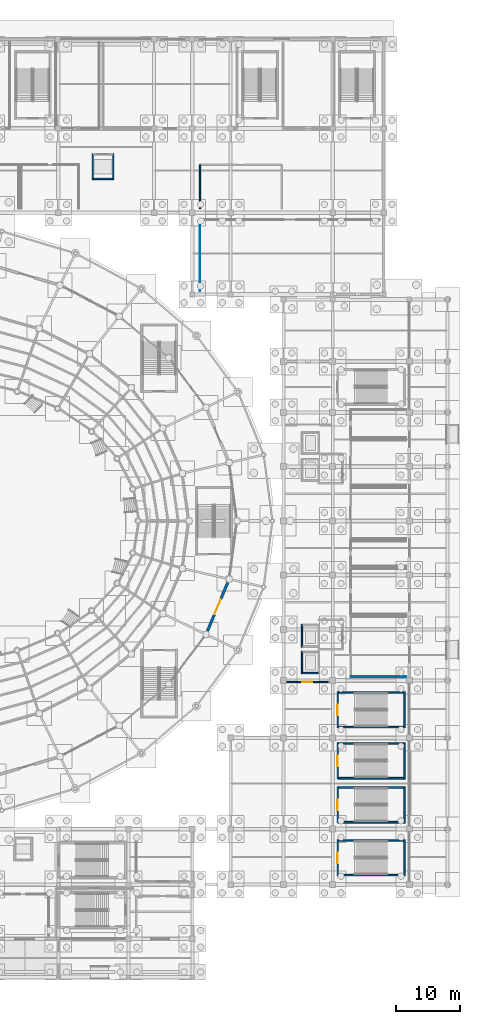
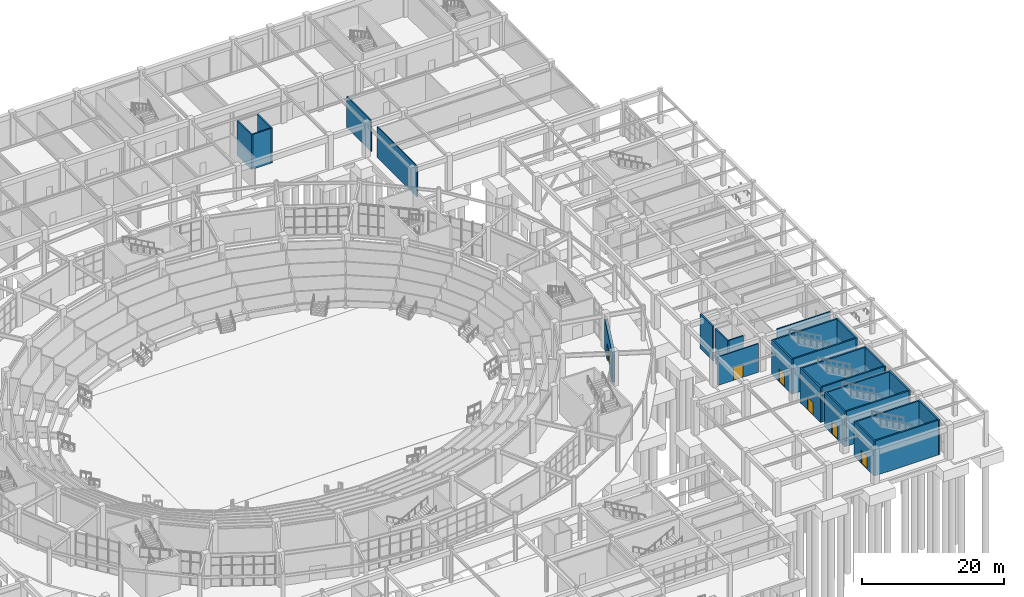
# One storey, part 90 of 121: 27 walls, 6 doors, 6 openings.
"""IFC4 building model written with IfcOpenShell, lengths in metres."""

from ifc_helpers import new_model, si_unit, direction, frame, frame_2d, origin, place, context, subcontext, project, spatial, rectangle, extrude, material, layer, layer_set, type_object, element, fill, save


model = new_model("IFC4")

# Units and contexts
model_context = context("Model", 3, precision=1e-05, world=origin(), true_north=direction((0.0, 1.0)))
body_context = subcontext(model_context, "Body", "Model", "MODEL_VIEW")
ifc_project = project(units=[si_unit("LENGTHUNIT", "METRE"), si_unit("AREAUNIT", "SQUARE_METRE"), si_unit("VOLUMEUNIT", "CUBIC_METRE"), si_unit("PLANEANGLEUNIT", "RADIAN"), si_unit("MASSUNIT", "GRAM", prefix="KILO")], contexts=[model_context])

# Site, building, storey
site_placement = place(None, origin())
site = spatial("IfcSite", under=ifc_project, at=site_placement, CompositionType="ELEMENT")
building_placement = place(site_placement, origin())
building = spatial("IfcBuilding", under=site, at=building_placement, Name="Cuetzalor Civic Arena", CompositionType="ELEMENT")
storey_placement = place(building_placement, origin())
storey = spatial("IfcBuildingStorey", under=building, at=storey_placement, Name="L00", CompositionType="ELEMENT", Elevation=0.0)

# Walls
ifc_material_1 = material(Name="Acoustic steel-stud gypsum partition", Category="steel")
ifc_layer_1 = layer(ifc_material_1, 0.14990234375)
ifc_layer_set_1 = layer_set([ifc_layer_1], Name="Acoustic steel-stud gypsum partition")
wall_type_1 = type_object("IfcWallType", Name="AcousticGypsumPartition_150", PredefinedType="PARTITIONING", material=ifc_layer_set_1)
wall_1_placement = place(storey_placement, frame((75.5, -24.39990234375, 0.0), z_axis=(0.0, 0.0, 1.0), x_axis=(-1.0, 0.0, 0.0)))
element("IfcWall", 1, at=wall_1_placement, inside=storey, type_object=wall_type_1, Name="Interior Partition IWALL:L00:0111", PredefinedType="PARTITIONING", context=body_context, shape_type="SweptSolid", body=[
    extrude(rectangle(XDim=8.699951171875, YDim=0.14990234375, at=frame_2d((4.35009765625, 0.0))), origin(), (0.0, 0.0, 1.0), 5.639892578125),
])
wall_2_placement = place(storey_placement, frame((43.199951171875, 36.0, 0.0), z_axis=(0.0, 0.0, 1.0), x_axis=(0.0, 1.0, 0.0)))
element("IfcWall", 2, at=wall_2_placement, inside=storey, type_object=wall_type_1, Name="Interior Partition IWALL:L00:0180", PredefinedType="PARTITIONING", context=body_context, shape_type="SweptSolid", body=[
    extrude(rectangle(XDim=11.199951171875, YDim=0.14990234375, at=frame_2d((5.60009765625, 0.0))), origin(), (0.0, 0.0, 1.0), 5.320068359375),
])

# Wall, opening, door
ifc_material_2 = material(Name="Puebla cantera gris stone on Concrete C35/45", Category="masonry")
ifc_layer_2 = layer(ifc_material_2, 0.419921875)
ifc_layer_set_2 = layer_set([ifc_layer_2], Name="Puebla cantera gris stone on Concrete C35/45")
wall_type_2 = type_object("IfcWallType", Name="CanteraStoneArcadeWall_420", PredefinedType="SOLIDWALL", material=ifc_layer_set_2)
wall_3_placement = place(storey_placement, frame((47.538818359375, -9.68017578125, 0.0), z_axis=(0.0, 0.0, 1.0), x_axis=(-0.385830591871, -0.92256964744, 0.0)))
wall_3 = element("IfcWall", 3, at=wall_3_placement, inside=storey, type_object=wall_type_2, Name="Drum Ground Colonnade Portal Wall L00-008", PredefinedType="SOLIDWALL", context=body_context, shape_type="SweptSolid", body=[
    extrude(rectangle(XDim=8.18603515625, YDim=0.419921875, at=frame_2d((4.093017578125, 0.0))), origin(), (0.0, 0.0, 1.0), 5.156982421875),
])
opening_1_placement = place(wall_3_placement, frame((2.79296875, 0.0, 0.0)))
opening_1 = element("IfcOpeningElement", 4, at=opening_1_placement, cuts=wall_3, Name="Opening ED-02", PredefinedType="OPENING", context=body_context, shape_type="SweptSolid", body=[
    extrude(rectangle(XDim=2.60009765625, YDim=3.0, at=frame_2d((1.300048828125, 1.5))), frame((0.0, 0.219970703125, 0.0), z_axis=(0.0, -1.0, 0.0), x_axis=(1.0, 0.0, 0.0)), (0.0, 0.0, 1.0), 0.43994140625),
])
ifc_material_3 = material(Name="Thermally broken bronze steel and laminated glass", Category="steel")
door_type_1 = type_object("IfcDoorType", Name="MainColonnadeEntrance_2600x3000", OperationType="DOUBLE_DOOR_SINGLE_SWING", PredefinedType="DOOR", material=ifc_material_3)
door_1_placement = place(opening_1_placement, origin())
door_1 = element("IfcDoor", 5, at=door_1_placement, inside=storey, type_object=door_type_1, Name="Pedestrian exit gate G08", OperationType="DOUBLE_DOOR_SINGLE_SWING", OverallHeight=3.0, OverallWidth=2.60009765625, PredefinedType="DOOR", context=body_context, shape_type="SweptSolid", body=[
    extrude(rectangle(XDim=2.60009765625, YDim=3.0, at=frame_2d((1.300048828125, 1.5))), frame((0.0, 0.02490234375, 0.0), z_axis=(0.0, -1.0, 0.0), x_axis=(1.0, 0.0, 0.0)), (0.0, 0.0, 1.0), 0.050048828125),
])
fill(opening_1, door_1)

ifc_material_4 = material(Name="Concrete C40/50", Category="concrete")
ifc_layer_3 = layer(ifc_material_4, 0.25)
ifc_layer_set_3 = layer_set([ifc_layer_3], Name="Concrete C40/50")
wall_type_3 = type_object("IfcWallType", Name="ConcreteCoreShearWall_250", PredefinedType="SHEAR", material=ifc_layer_set_3)
wall_4_placement = place(storey_placement, frame((64.77490234375, -55.64990234375, 0.0), z_axis=(0.0, 0.0, 1.0), x_axis=(0.0, 1.0, 0.0)))
wall_4 = element("IfcWall", 6, at=wall_4_placement, inside=storey, type_object=wall_type_3, Name="Stair Core Shear Wall ST-18-L00-W", PredefinedType="SHEAR", context=body_context, shape_type="SweptSolid", body=[
    extrude(rectangle(XDim=5.699951171875, YDim=0.25, at=frame_2d((2.85009765625, 0.0))), origin(), (0.0, 0.0, 1.0), 6.0),
])
opening_2_placement = place(wall_4_placement, frame((2.02490234375, 0.0, 0.0)))
opening_2 = element("IfcOpeningElement", 7, at=opening_2_placement, cuts=wall_4, Name="Opening FD-04", PredefinedType="OPENING", context=body_context, shape_type="SweptSolid", body=[
    extrude(rectangle(XDim=1.64990234375, YDim=2.199951171875, at=frame_2d((0.824951171875, 1.10009765625))), frame((0.0, 0.135009765625, 0.0), z_axis=(0.0, -1.0, 0.0), x_axis=(1.0, 0.0, 0.0)), (0.0, 0.0, 1.0), 0.27001953125),
])
ifc_material_5 = material(Name="Fire-rated steel stair exit double door", Category="steel")
door_type_2 = type_object("IfcDoorType", Name="StairFireDoubleDoor_1650x2200", OperationType="DOUBLE_DOOR_SINGLE_SWING", PredefinedType="DOOR", material=ifc_material_5)
door_2_placement = place(opening_2_placement, origin())
door_2 = element("IfcDoor", 8, at=door_2_placement, inside=storey, type_object=door_type_2, Name="Fire Stair Door ST-18 L00", OperationType="DOUBLE_DOOR_SINGLE_SWING", OverallHeight=2.199951171875, OverallWidth=1.64990234375, PredefinedType="DOOR", context=body_context, shape_type="SweptSolid", body=[
    extrude(rectangle(XDim=1.64990234375, YDim=2.199951171875, at=frame_2d((0.824951171875, 1.10009765625))), frame((0.0, 0.02490234375, 0.0), z_axis=(0.0, -1.0, 0.0), x_axis=(1.0, 0.0, 0.0)), (0.0, 0.0, 1.0), 0.050048828125),
])
fill(opening_2, door_2)

# Walls
wall_5_placement = place(storey_placement, frame((64.89990234375, -50.074951171875, 0.0), z_axis=(0.0, 0.0, 1.0), x_axis=(1.0, 0.0, 0.0)))
element("IfcWall", 9, at=wall_5_placement, inside=storey, type_object=wall_type_3, Name="Stair Core Shear Wall ST-18-L00-N", PredefinedType="SHEAR", context=body_context, shape_type="SweptSolid", body=[
    extrude(rectangle(XDim=10.2001953125, YDim=0.25, at=frame_2d((5.10009765625, 0.0))), origin(), (0.0, 0.0, 1.0), 6.0),
])
wall_6_placement = place(storey_placement, frame((75.22509765625, -49.949951171875, 0.0), z_axis=(0.0, 0.0, 1.0), x_axis=(0.0, -1.0, 0.0)))
element("IfcWall", 10, at=wall_6_placement, inside=storey, type_object=wall_type_3, Name="Stair Core Shear Wall ST-18-L00-E", PredefinedType="SHEAR", context=body_context, shape_type="SweptSolid", body=[
    extrude(rectangle(XDim=5.699951171875, YDim=0.25, at=frame_2d((2.85009765625, 0.0))), origin(), (0.0, 0.0, 1.0), 6.0),
])
wall_7_placement = place(storey_placement, frame((75.10009765625, -55.52490234375, 0.0), z_axis=(0.0, 0.0, 1.0), x_axis=(-1.0, 0.0, 0.0)))
element("IfcWall", 11, at=wall_7_placement, inside=storey, type_object=wall_type_3, Name="Stair Core Shear Wall ST-18-L00-S", PredefinedType="SHEAR", context=body_context, shape_type="SweptSolid", body=[
    extrude(rectangle(XDim=10.2001953125, YDim=0.25, at=frame_2d((5.10009765625, 0.0))), origin(), (0.0, 0.0, 1.0), 6.0),
])

# Wall, opening, door
wall_8_placement = place(storey_placement, frame((64.77490234375, -47.35009765625, 0.0), z_axis=(0.0, 0.0, 1.0), x_axis=(0.0, 1.0, 0.0)))
wall_8 = element("IfcWall", 12, at=wall_8_placement, inside=storey, type_object=wall_type_3, Name="Stair Core Shear Wall ST-19-L00-W", PredefinedType="SHEAR", context=body_context, shape_type="SweptSolid", body=[
    extrude(rectangle(XDim=5.7001953125, YDim=0.25, at=frame_2d((2.85009765625, 0.0))), origin(), (0.0, 0.0, 1.0), 6.0),
])
opening_3_placement = place(wall_8_placement, frame((2.02490234375, 0.0, 0.0)))
opening_3 = element("IfcOpeningElement", 13, at=opening_3_placement, cuts=wall_8, Name="Opening FD-04", PredefinedType="OPENING", context=body_context, shape_type="SweptSolid", body=[
    extrude(rectangle(XDim=1.64990234375, YDim=2.199951171875, at=frame_2d((0.824951171875, 1.10009765625))), frame((0.0, 0.135009765625, 0.0), z_axis=(0.0, -1.0, 0.0), x_axis=(1.0, 0.0, 0.0)), (0.0, 0.0, 1.0), 0.27001953125),
])
door_3_placement = place(opening_3_placement, origin())
door_3 = element("IfcDoor", 14, at=door_3_placement, inside=storey, type_object=door_type_2, Name="Fire Stair Door ST-19 L00", OperationType="DOUBLE_DOOR_SINGLE_SWING", OverallHeight=2.199951171875, OverallWidth=1.64990234375, PredefinedType="DOOR", context=body_context, shape_type="SweptSolid", body=[
    extrude(rectangle(XDim=1.64990234375, YDim=2.199951171875, at=frame_2d((0.824951171875, 1.10009765625))), frame((0.0, 0.02490234375, 0.0), z_axis=(0.0, -1.0, 0.0), x_axis=(1.0, 0.0, 0.0)), (0.0, 0.0, 1.0), 0.050048828125),
])
fill(opening_3, door_3)

# Walls
wall_9_placement = place(storey_placement, frame((64.89990234375, -41.77490234375, 0.0), z_axis=(0.0, 0.0, 1.0), x_axis=(1.0, 0.0, 0.0)))
element("IfcWall", 15, at=wall_9_placement, inside=storey, type_object=wall_type_3, Name="Stair Core Shear Wall ST-19-L00-N", PredefinedType="SHEAR", context=body_context, shape_type="SweptSolid", body=[
    extrude(rectangle(XDim=10.2001953125, YDim=0.25, at=frame_2d((5.10009765625, 0.0))), origin(), (0.0, 0.0, 1.0), 6.0),
])
wall_10_placement = place(storey_placement, frame((75.22509765625, -41.64990234375, 0.0), z_axis=(0.0, 0.0, 1.0), x_axis=(0.0, -1.0, 0.0)))
element("IfcWall", 16, at=wall_10_placement, inside=storey, type_object=wall_type_3, Name="Stair Core Shear Wall ST-19-L00-E", PredefinedType="SHEAR", context=body_context, shape_type="SweptSolid", body=[
    extrude(rectangle(XDim=5.7001953125, YDim=0.25, at=frame_2d((2.85009765625, 0.0))), origin(), (0.0, 0.0, 1.0), 6.0),
])
wall_11_placement = place(storey_placement, frame((75.10009765625, -47.22509765625, 0.0), z_axis=(0.0, 0.0, 1.0), x_axis=(-1.0, 0.0, 0.0)))
element("IfcWall", 17, at=wall_11_placement, inside=storey, type_object=wall_type_3, Name="Stair Core Shear Wall ST-19-L00-S", PredefinedType="SHEAR", context=body_context, shape_type="SweptSolid", body=[
    extrude(rectangle(XDim=10.2001953125, YDim=0.25, at=frame_2d((5.10009765625, 0.0))), origin(), (0.0, 0.0, 1.0), 6.0),
])

# Wall, opening, door
wall_12_placement = place(storey_placement, frame((64.77490234375, -40.449951171875, 0.0), z_axis=(0.0, 0.0, 1.0), x_axis=(0.0, 1.0, 0.0)))
wall_12 = element("IfcWall", 18, at=wall_12_placement, inside=storey, type_object=wall_type_3, Name="Stair Core Shear Wall ST-20-L00-W", PredefinedType="SHEAR", context=body_context, shape_type="SweptSolid", body=[
    extrude(rectangle(XDim=5.699951171875, YDim=0.25, at=frame_2d((2.85009765625, 0.0))), origin(), (0.0, 0.0, 1.0), 6.0),
])
opening_4_placement = place(wall_12_placement, frame((2.02490234375, 0.0, 0.0)))
opening_4 = element("IfcOpeningElement", 19, at=opening_4_placement, cuts=wall_12, Name="Opening FD-04", PredefinedType="OPENING", context=body_context, shape_type="SweptSolid", body=[
    extrude(rectangle(XDim=1.64990234375, YDim=2.199951171875, at=frame_2d((0.824951171875, 1.10009765625))), frame((0.0, 0.135009765625, 0.0), z_axis=(0.0, -1.0, 0.0), x_axis=(1.0, 0.0, 0.0)), (0.0, 0.0, 1.0), 0.27001953125),
])
door_4_placement = place(opening_4_placement, origin())
door_4 = element("IfcDoor", 20, at=door_4_placement, inside=storey, type_object=door_type_2, Name="Fire Stair Door ST-20 L00", OperationType="DOUBLE_DOOR_SINGLE_SWING", OverallHeight=2.199951171875, OverallWidth=1.64990234375, PredefinedType="DOOR", context=body_context, shape_type="SweptSolid", body=[
    extrude(rectangle(XDim=1.64990234375, YDim=2.199951171875, at=frame_2d((0.824951171875, 1.10009765625))), frame((0.0, 0.02490234375, 0.0), z_axis=(0.0, -1.0, 0.0), x_axis=(1.0, 0.0, 0.0)), (0.0, 0.0, 1.0), 0.050048828125),
])
fill(opening_4, door_4)

# Walls
wall_13_placement = place(storey_placement, frame((64.89990234375, -34.875, 0.0), z_axis=(0.0, 0.0, 1.0), x_axis=(1.0, 0.0, 0.0)))
element("IfcWall", 21, at=wall_13_placement, inside=storey, type_object=wall_type_3, Name="Stair Core Shear Wall ST-20-L00-N", PredefinedType="SHEAR", context=body_context, shape_type="SweptSolid", body=[
    extrude(rectangle(XDim=10.2001953125, YDim=0.25, at=frame_2d((5.10009765625, 0.0))), origin(), (0.0, 0.0, 1.0), 6.0),
])
wall_14_placement = place(storey_placement, frame((75.22509765625, -34.75, 0.0), z_axis=(0.0, 0.0, 1.0), x_axis=(0.0, -1.0, 0.0)))
element("IfcWall", 22, at=wall_14_placement, inside=storey, type_object=wall_type_3, Name="Stair Core Shear Wall ST-20-L00-E", PredefinedType="SHEAR", context=body_context, shape_type="SweptSolid", body=[
    extrude(rectangle(XDim=5.699951171875, YDim=0.25, at=frame_2d((2.85009765625, 0.0))), origin(), (0.0, 0.0, 1.0), 6.0),
])
wall_15_placement = place(storey_placement, frame((75.10009765625, -40.324951171875, 0.0), z_axis=(0.0, 0.0, 1.0), x_axis=(-1.0, 0.0, 0.0)))
element("IfcWall", 23, at=wall_15_placement, inside=storey, type_object=wall_type_3, Name="Stair Core Shear Wall ST-20-L00-S", PredefinedType="SHEAR", context=body_context, shape_type="SweptSolid", body=[
    extrude(rectangle(XDim=10.2001953125, YDim=0.25, at=frame_2d((5.10009765625, 0.0))), origin(), (0.0, 0.0, 1.0), 6.0),
])

# Wall, opening, door
wall_16_placement = place(storey_placement, frame((64.77490234375, -32.449951171875, 0.0), z_axis=(0.0, 0.0, 1.0), x_axis=(0.0, 1.0, 0.0)))
wall_16 = element("IfcWall", 24, at=wall_16_placement, inside=storey, type_object=wall_type_3, Name="Stair Core Shear Wall ST-21-L00-W", PredefinedType="SHEAR", context=body_context, shape_type="SweptSolid", body=[
    extrude(rectangle(XDim=5.699951171875, YDim=0.25, at=frame_2d((2.85009765625, 0.0))), origin(), (0.0, 0.0, 1.0), 6.0),
])
opening_5_placement = place(wall_16_placement, frame((2.02490234375, 0.0, 0.0)))
opening_5 = element("IfcOpeningElement", 25, at=opening_5_placement, cuts=wall_16, Name="Opening FD-04", PredefinedType="OPENING", context=body_context, shape_type="SweptSolid", body=[
    extrude(rectangle(XDim=1.64990234375, YDim=2.199951171875, at=frame_2d((0.824951171875, 1.10009765625))), frame((0.0, 0.135009765625, 0.0), z_axis=(0.0, -1.0, 0.0), x_axis=(1.0, 0.0, 0.0)), (0.0, 0.0, 1.0), 0.27001953125),
])
door_5_placement = place(opening_5_placement, origin())
door_5 = element("IfcDoor", 26, at=door_5_placement, inside=storey, type_object=door_type_2, Name="Fire Stair Door ST-21 L00", OperationType="DOUBLE_DOOR_SINGLE_SWING", OverallHeight=2.199951171875, OverallWidth=1.64990234375, PredefinedType="DOOR", context=body_context, shape_type="SweptSolid", body=[
    extrude(rectangle(XDim=1.64990234375, YDim=2.199951171875, at=frame_2d((0.824951171875, 1.10009765625))), frame((0.0, 0.02490234375, 0.0), z_axis=(0.0, -1.0, 0.0), x_axis=(1.0, 0.0, 0.0)), (0.0, 0.0, 1.0), 0.050048828125),
])
fill(opening_5, door_5)

# Walls
wall_17_placement = place(storey_placement, frame((64.89990234375, -26.875, 0.0), z_axis=(0.0, 0.0, 1.0), x_axis=(1.0, 0.0, 0.0)))
element("IfcWall", 27, at=wall_17_placement, inside=storey, type_object=wall_type_3, Name="Stair Core Shear Wall ST-21-L00-N", PredefinedType="SHEAR", context=body_context, shape_type="SweptSolid", body=[
    extrude(rectangle(XDim=10.2001953125, YDim=0.25, at=frame_2d((5.10009765625, 0.0))), origin(), (0.0, 0.0, 1.0), 6.0),
])
wall_18_placement = place(storey_placement, frame((75.22509765625, -26.75, 0.0), z_axis=(0.0, 0.0, 1.0), x_axis=(0.0, -1.0, 0.0)))
element("IfcWall", 28, at=wall_18_placement, inside=storey, type_object=wall_type_3, Name="Stair Core Shear Wall ST-21-L00-E", PredefinedType="SHEAR", context=body_context, shape_type="SweptSolid", body=[
    extrude(rectangle(XDim=5.699951171875, YDim=0.25, at=frame_2d((2.85009765625, 0.0))), origin(), (0.0, 0.0, 1.0), 6.0),
])
wall_19_placement = place(storey_placement, frame((75.10009765625, -32.324951171875, 0.0), z_axis=(0.0, 0.0, 1.0), x_axis=(-1.0, 0.0, 0.0)))
element("IfcWall", 29, at=wall_19_placement, inside=storey, type_object=wall_type_3, Name="Stair Core Shear Wall ST-21-L00-S", PredefinedType="SHEAR", context=body_context, shape_type="SweptSolid", body=[
    extrude(rectangle(XDim=10.2001953125, YDim=0.25, at=frame_2d((5.10009765625, 0.0))), origin(), (0.0, 0.0, 1.0), 6.0),
])

# Wall, opening, door
ifc_material_6 = material(Name="Fire-rated masonry and gypsum partition", Category="masonry")
ifc_layer_4 = layer(ifc_material_6, 0.199951171875)
ifc_layer_set_4 = layer_set([ifc_layer_4], Name="Fire-rated masonry and gypsum partition")
wall_type_4 = type_object("IfcWallType", Name="FireCompartmentWall_200", PredefinedType="PARTITIONING", material=ifc_layer_set_4)
wall_20_placement = place(storey_placement, frame((56.699951171875, -25.25, 0.0), z_axis=(0.0, 0.0, 1.0), x_axis=(1.0, 0.0, 0.0)))
wall_20 = element("IfcWall", 30, at=wall_20_placement, inside=storey, type_object=wall_type_4, Name="Interior Partition IWALL:L00:0128", PredefinedType="PARTITIONING", context=body_context, shape_type="SweptSolid", body=[
    extrude(rectangle(XDim=6.60009765625, YDim=0.199951171875, at=frame_2d((3.300048828125, 0.0))), origin(), (0.0, 0.0, 1.0), 4.925048828125),
])
opening_6_placement = place(wall_20_placement, frame((2.5, 0.0, 0.0)))
opening_6 = element("IfcOpeningElement", 31, at=opening_6_placement, cuts=wall_20, Name="Opening FD-05", PredefinedType="OPENING", context=body_context, shape_type="SweptSolid", body=[
    extrude(rectangle(XDim=1.60009765625, YDim=2.199951171875, at=frame_2d((0.800048828125, 1.10009765625))), frame((0.0, 0.10986328125, 0.0), z_axis=(0.0, -1.0, 0.0), x_axis=(1.0, 0.0, 0.0)), (0.0, 0.0, 1.0), 0.219970703125),
])
ifc_material_7 = material(Name="Fire-rated smoke-seal lobby double door", Category="steel")
door_type_3 = type_object("IfcDoorType", Name="FireLobbyDoubleDoor_1600x2200", OperationType="DOUBLE_DOOR_SINGLE_SWING", PredefinedType="DOOR", material=ifc_material_7)
door_6_placement = place(opening_6_placement, origin())
door_6 = element("IfcDoor", 32, at=door_6_placement, inside=storey, type_object=door_type_3, Name="Fire Door Protected Exit Corridor East L00", OperationType="DOUBLE_DOOR_SINGLE_SWING", OverallHeight=2.199951171875, OverallWidth=1.60009765625, PredefinedType="DOOR", context=body_context, shape_type="SweptSolid", body=[
    extrude(rectangle(XDim=1.60009765625, YDim=2.199951171875, at=frame_2d((0.800048828125, 1.10009765625))), frame((0.0, 0.02490234375, 0.0), z_axis=(0.0, -1.0, 0.0), x_axis=(1.0, 0.0, 0.0)), (0.0, 0.0, 1.0), 0.050048828125),
])
fill(opening_6, door_6)

# Walls
wall_21_placement = place(storey_placement, frame((43.199951171875, 48.89990234375, 0.0), z_axis=(0.0, 0.0, 1.0), x_axis=(0.0, 1.0, 0.0)))
element("IfcWall", 33, at=wall_21_placement, inside=storey, type_object=wall_type_4, Name="Interior Partition IWALL:L00:0177", PredefinedType="PARTITIONING", context=body_context, shape_type="SweptSolid", body=[
    extrude(rectangle(XDim=6.900146484375, YDim=0.199951171875, at=frame_2d((3.4501953125, 0.0))), origin(), (0.0, 0.0, 1.0), 5.320068359375),
])
ifc_material_8 = material(Name="Concrete C40/50", Category="concrete")
ifc_layer_5 = layer(ifc_material_8, 0.219970703125)
ifc_layer_set_5 = layer_set([ifc_layer_5], Name="Concrete C40/50")
wall_type_5 = type_object("IfcWallType", Name="LiftShaftShearWall_220", PredefinedType="SHEAR", material=ifc_layer_set_5)
for number, where, z_axis, x_axis, name in (
    (34, (59.18994140625, -19.77001953125, 0.0), (0.0, 0.0, 1.0), (0.0, 1.0, 0.0), "Lift Shaft Wall LF-03-L00-W"),
    (35, (59.18994140625, -23.969970703125, 0.0), (0.0, 0.0, 1.0), (0.0, 1.0, 0.0), "Lift Shaft Wall LP-05-L00-W"),
):
    element("IfcWall", number, at=place(storey_placement, frame(where, z_axis=z_axis, x_axis=x_axis)), inside=storey, type_object=wall_type_5, Name=name, PredefinedType="SHEAR", context=body_context, shape_type="SweptSolid", body=[
        extrude(rectangle(XDim=3.5400390625, YDim=0.219970703125, at=frame_2d((1.77001953125, 0.0))), origin(), (0.0, 0.0, 1.0), 6.0),
    ])
wall_22_placement = place(storey_placement, frame((61.699951171875, -23.860107421875, 0.0), z_axis=(0.0, 0.0, 1.0), x_axis=(-1.0, 0.0, 0.0)))
element("IfcWall", 36, at=wall_22_placement, inside=storey, type_object=wall_type_5, Name="Lift Shaft Wall LP-05-L00-S", PredefinedType="SHEAR", context=body_context, shape_type="SweptSolid", body=[
    extrude(rectangle(XDim=2.39990234375, YDim=0.219970703125, at=frame_2d((1.199951171875, 0.0))), origin(), (0.0, 0.0, 1.0), 6.0),
])
for number, where, z_axis, x_axis, name in (
    (37, (26.389892578125, 53.47998046875, 0.0), (0.0, 0.0, 1.0), (0.0, 1.0, 0.0), "Lift Shaft Wall LS-02-L00-W"),
    (38, (29.610107421875, 57.52001953125, 0.0), (0.0, 0.0, 1.0), (0.0, -1.0, 0.0), "Lift Shaft Wall LS-02-L00-E"),
):
    element("IfcWall", number, at=place(storey_placement, frame(where, z_axis=z_axis, x_axis=x_axis)), inside=storey, type_object=wall_type_5, Name=name, PredefinedType="SHEAR", context=body_context, shape_type="SweptSolid", body=[
        extrude(rectangle(XDim=4.0400390625, YDim=0.219970703125, at=frame_2d((2.02001953125, 0.0))), origin(), (0.0, 0.0, 1.0), 6.0),
    ])
wall_23_placement = place(storey_placement, frame((29.5, 53.590087890625, 0.0), z_axis=(0.0, 0.0, 1.0), x_axis=(-1.0, 0.0, 0.0)))
element("IfcWall", 39, at=wall_23_placement, inside=storey, type_object=wall_type_5, Name="Lift Shaft Wall LS-02-L00-S", PredefinedType="SHEAR", context=body_context, shape_type="SweptSolid", body=[
    extrude(rectangle(XDim=3.0, YDim=0.219970703125, at=frame_2d((1.5, 0.0))), origin(), (0.0, 0.0, 1.0), 6.0),
])

save(model, "model.ifc")
